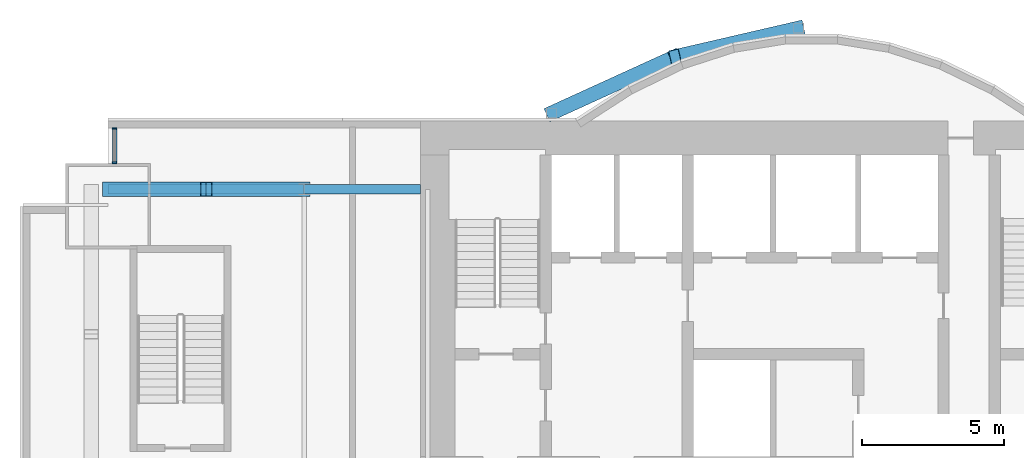
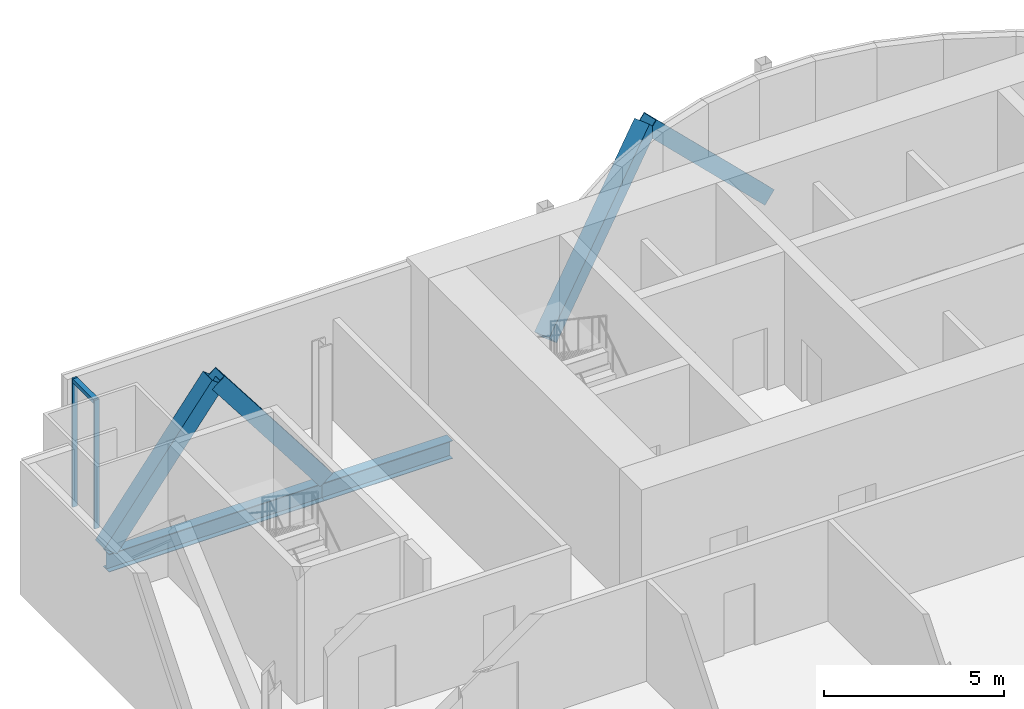
# One storey, part 10 of 21: 7 members, 2 beams, 1 element without a shape of its own.
"""IFC4 building model written with IfcOpenShell, lengths in metres."""

from ifc_helpers import new_model, si_unit, direction, frame, origin, origin_2d, place, context, subcontext, project, spatial, rectangle, hollow_rectangle, i_section, extrude, material, material_profile, profile_set, type_object, element, aggregate, save


model = new_model("IFC4")

# Units and contexts
model_context = context("Model", 3, precision=1e-05, world=origin(), true_north=direction((0.0, 1.0)))
body_context = subcontext(model_context, "Body", "Model", "MODEL_VIEW")
ifc_project = project(units=[si_unit("LENGTHUNIT", "METRE"), si_unit("AREAUNIT", "SQUARE_METRE"), si_unit("VOLUMEUNIT", "CUBIC_METRE"), si_unit("PLANEANGLEUNIT", "RADIAN"), si_unit("MASSUNIT", "GRAM", prefix="KILO")], contexts=[model_context])

# Site, building, storey
site_placement = place(None, origin())
site = spatial("IfcSite", under=ifc_project, at=site_placement, CompositionType="ELEMENT")
building_placement = place(site_placement, origin())
building = spatial("IfcBuilding", under=site, at=building_placement, Name="Bicima Exchange Tower", CompositionType="ELEMENT")
storey_placement = place(building_placement, frame((0.0, 0.0, 48.5)))
storey = spatial("IfcBuildingStorey", under=building, at=storey_placement, Name="L09", CompositionType="ELEMENT", Elevation=48.5)

# Curtain wall, members
ifc_material_1 = material(Name="Anodised bronze aluminium", Category="aluminium")
curtain_wall_type = type_object("IfcCurtainWallType", Name="Front glass wall", PredefinedType="NOTDEFINED", material=ifc_material_1)
curtain_wall_placement = place(storey_placement, origin())
curtain_wall = element("IfcCurtainWall", 1, at=curtain_wall_placement, inside=storey, type_object=curtain_wall_type, Name="Front glass wall L09 run 1", PredefinedType="NOTDEFINED")
ifc_material_profile_1 = material_profile(ifc_material_1, rectangle(XDim=0.159912109375, YDim=0.06005859375, at=origin_2d()))
ifc_profile_set_1 = profile_set([ifc_material_profile_1], Name="Anodised bronze aluminium")
member_type_1 = type_object("IfcMemberType", Name="Front glass wall mullion 60 x 160", PredefinedType="MULLION", material=ifc_profile_set_1)
member_1_placement = place(storey_placement, frame((-32.77001953125, -0.260009765625, 0.0), z_axis=(0.0, 0.0, 1.0), x_axis=(1.0, 0.0, 0.0)))
member_1 = element("IfcMember", 2, at=member_1_placement, type_object=member_type_1, Name="Front glass wall mullion 1", PredefinedType="MULLION", context=body_context, shape_type="SweptSolid", body=[
    extrude(rectangle(XDim=0.159912109375, YDim=0.06005859375, at=origin_2d()), origin(), (0.0, 0.0, 1.0), 4.35009765625),
])
member_2_placement = place(storey_placement, frame((-32.77001953125, -1.469970703125, 0.0), z_axis=(0.0, 0.0, 1.0), x_axis=(1.0, 0.0, 0.0)))
member_2 = element("IfcMember", 3, at=member_2_placement, type_object=member_type_1, Name="Front glass wall mullion 2", PredefinedType="MULLION", context=body_context, shape_type="SweptSolid", body=[
    extrude(rectangle(XDim=0.159912109375, YDim=0.06005859375, at=origin_2d()), origin(), (0.0, 0.0, 1.0), 4.35009765625),
])
ifc_material_profile_2 = material_profile(ifc_material_1, rectangle(XDim=0.159912109375, YDim=0.139892578125, at=origin_2d()))
ifc_profile_set_2 = profile_set([ifc_material_profile_2], Name="Anodised bronze aluminium")
member_type_2 = type_object("IfcMemberType", Name="Front glass wall transom 140 x 160", PredefinedType="USERDEFINED", material=ifc_profile_set_2)
member_3_placement = place(storey_placement, frame((-32.77001953125, -0.2900390625, 4.280029296875), z_axis=(0.0, -1.0, 0.0), x_axis=(1.0, 0.0, 0.0)))
member_3 = element("IfcMember", 4, at=member_3_placement, type_object=member_type_2, Name="Front glass wall transom 1.1", ObjectType="TRANSOM", PredefinedType="USERDEFINED", context=body_context, shape_type="SweptSolid", body=[
    extrude(rectangle(XDim=0.159912109375, YDim=0.139892578125, at=origin_2d()), origin(), (0.0, 0.0, 1.0), 1.14990234375),
])
aggregate(curtain_wall, [member_1, member_2, member_3])

# Members
ifc_material_2 = material(Name="Steel ASTM A572 Gr 50", Category="steel")
ifc_material_profile_3 = material_profile(ifc_material_2, hollow_rectangle(XDim=0.508056640625, YDim=0.508056640625, WallThickness=0.017822265625, at=origin_2d()))
ifc_profile_set_3 = profile_set([ifc_material_profile_3], Name="Steel ASTM A572 Gr 50")
member_type_3 = type_object("IfcMemberType", Name="Mega brace HSS20x20x3/4", PredefinedType="BRACE", material=ifc_profile_set_3)
member_4_placement = place(storey_placement, frame((-17.39990234375, 0.278076171875, 0.0), z_axis=(0.662507516739, 0.302231638101, 0.685375683254), x_axis=(-0.415045223819, 0.909800781592, 0.0)))
element("IfcMember", 5, at=member_4_placement, inside=storey, type_object=member_type_3, Name="Mega brace rexo", PredefinedType="BRACE", context=body_context, shape_type="SweptSolid", body=[
    extrude(hollow_rectangle(XDim=0.508056640625, YDim=0.508056640625, WallThickness=0.017822265625, at=origin_2d()), origin(), (0.0, 0.0, 1.0), 6.565673828125),
])
member_5_placement = place(storey_placement, frame((-8.699951171875, 3.26904296875, 0.0), z_axis=(-0.686212303743, -0.158786245837, 0.709858860848), x_axis=(0.225438503722, -0.974257399787, 0.0)))
element("IfcMember", 6, at=member_5_placement, inside=storey, type_object=member_type_3, Name="Mega brace rexo", PredefinedType="BRACE", context=body_context, shape_type="SweptSolid", body=[
    extrude(hollow_rectangle(XDim=0.508056640625, YDim=0.508056640625, WallThickness=0.017822265625, at=origin_2d()), origin(), (0.0, 0.0, 1.0), 6.33935546875),
])
for number, where, z_axis, x_axis, name in (
    (7, (-33.0, -2.39990234375, 0.0), (0.608426120198, 0.0, 0.793610519248), (0.0, 1.0, 0.0), "Mega brace rear"),
    (8, (-26.10009765625, -2.39990234375, 0.0), (-0.608426120198, 0.0, 0.793610519248), (0.0, -1.0, 0.0), "Mega brace rear"),
):
    element("IfcMember", number, at=place(storey_placement, frame(where, z_axis=z_axis, x_axis=x_axis)), inside=storey, type_object=member_type_3, Name=name, PredefinedType="BRACE", context=body_context, shape_type="SweptSolid", body=[
        extrude(hollow_rectangle(XDim=0.508056640625, YDim=0.508056640625, WallThickness=0.017822265625, at=origin_2d()), origin(), (0.0, 0.0, 1.0), 5.670166015625),
    ])

# Beams
ifc_material_3 = material(Name="Steel ASTM A992 Gr 50", Category="steel")
ifc_material_profile_4 = material_profile(ifc_material_3, i_section(OverallWidth=0.3251953125, OverallDepth=0.612060546875, WebThickness=0.0126953125, FlangeThickness=0.01904296875, at=origin_2d()))
ifc_profile_set_4 = profile_set([ifc_material_profile_4], Name="Steel ASTM A992 Gr 50")
beam_type = type_object("IfcBeamType", Name="Rear girder W24x104", PredefinedType="BEAM", material=ifc_profile_set_4)
beam_1_placement = place(storey_placement, frame((-22.0, -2.39990234375, -0.4560546875), z_axis=(-1.0, 0.0, 0.0), x_axis=(0.0, -1.0, 0.0)))
element("IfcBeam", 9, at=beam_1_placement, inside=storey, type_object=beam_type, Name="Rear girder", PredefinedType="BEAM", context=body_context, shape_type="SweptSolid", body=[
    extrude(i_section(OverallWidth=0.3251953125, OverallDepth=0.612060546875, WebThickness=0.0126953125, FlangeThickness=0.01904296875, at=origin_2d()), origin(), (0.0, 0.0, 1.0), 4.10009765625),
])
beam_2_placement = place(storey_placement, frame((-26.10009765625, -2.39990234375, -0.4560546875), z_axis=(-1.0, 0.0, 0.0), x_axis=(0.0, -1.0, 0.0)))
element("IfcBeam", 10, at=beam_2_placement, inside=storey, type_object=beam_type, Name="Rear girder", PredefinedType="BEAM", context=body_context, shape_type="SweptSolid", body=[
    extrude(i_section(OverallWidth=0.3251953125, OverallDepth=0.612060546875, WebThickness=0.0126953125, FlangeThickness=0.01904296875, at=origin_2d()), origin(), (0.0, 0.0, 1.0), 6.89990234375),
])

save(model, "model.ifc")
